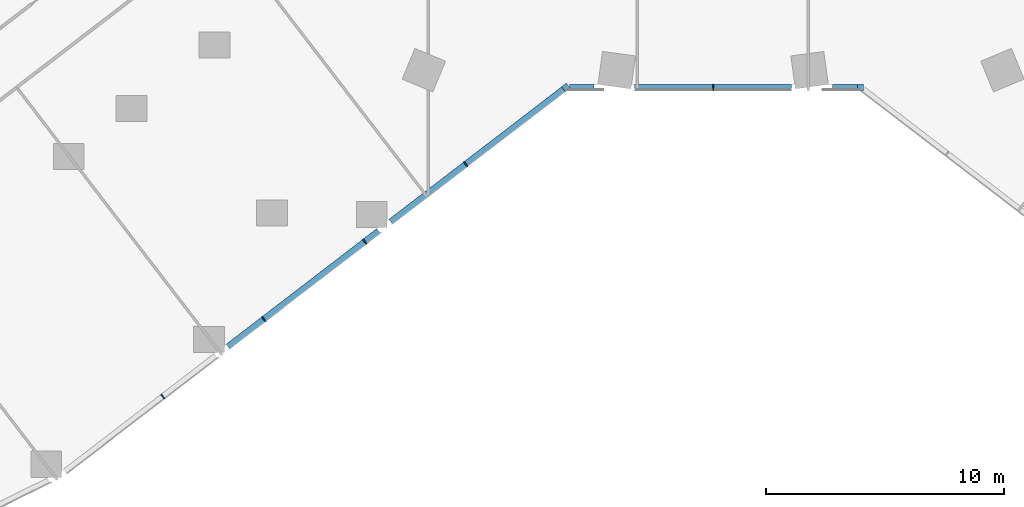
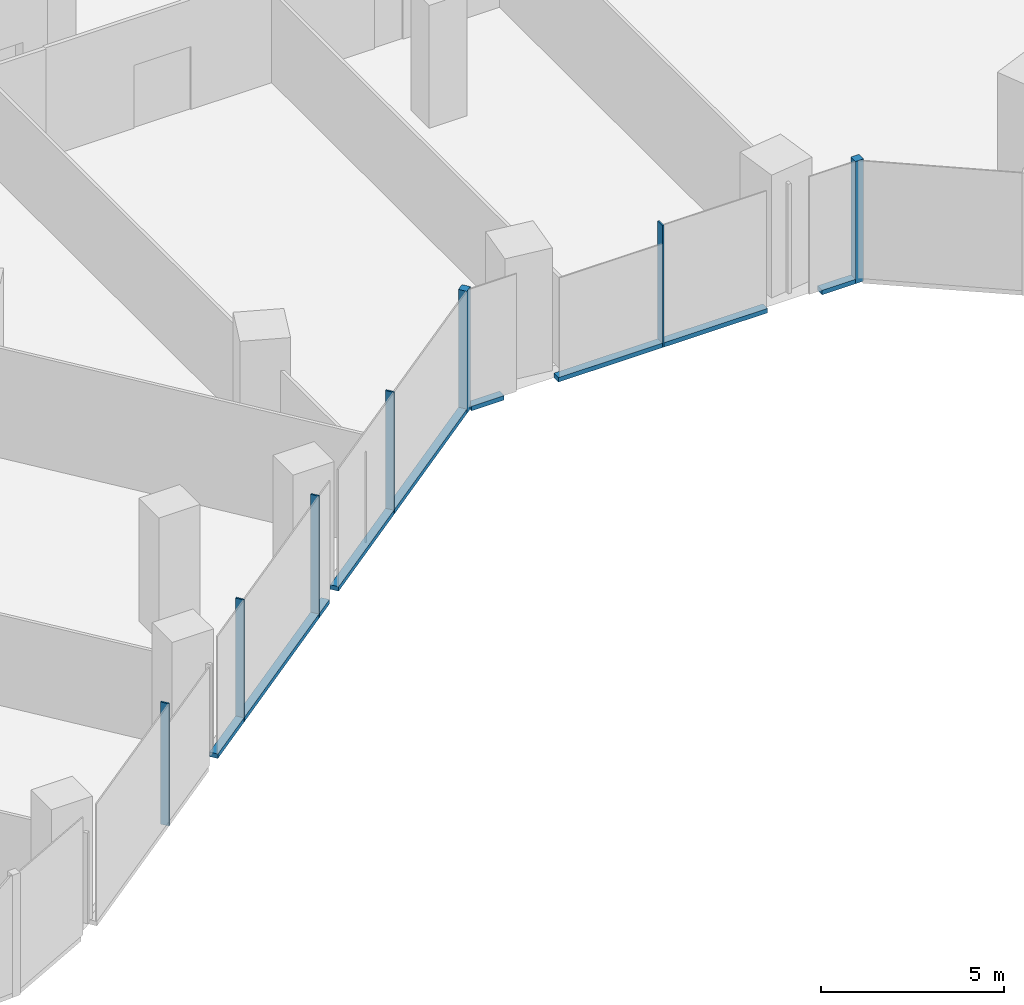
# One storey, part 4 of 29: 12 members, 2 elements without a shape of their own.
"""IFC4 building model written with IfcOpenShell, lengths in metres."""

from ifc_helpers import new_model, si_unit, direction, frame, origin, origin_2d, place, context, subcontext, project, spatial, rectangle, extrude, material, material_profile, profile_set, type_object, element, aggregate, save


model = new_model("IFC4")

# Units and contexts
model_context = context("Model", 3, precision=1e-05, world=origin(), true_north=direction((0.0, 1.0)))
body_context = subcontext(model_context, "Body", "Model", "MODEL_VIEW")
ifc_project = project(units=[si_unit("LENGTHUNIT", "METRE"), si_unit("AREAUNIT", "SQUARE_METRE"), si_unit("VOLUMEUNIT", "CUBIC_METRE"), si_unit("PLANEANGLEUNIT", "RADIAN"), si_unit("MASSUNIT", "GRAM", prefix="KILO")], contexts=[model_context])

# Site, building, storey
site_placement = place(None, origin())
site = spatial("IfcSite", under=ifc_project, at=site_placement, CompositionType="ELEMENT")
building_placement = place(site_placement, origin())
building = spatial("IfcBuilding", under=site, at=building_placement, Name="Orlundy Tower", CompositionType="ELEMENT")
storey_placement = place(building_placement, frame((0.0, 0.0, 29.199951171875)))
storey = spatial("IfcBuildingStorey", under=building, at=storey_placement, Name="L05", CompositionType="ELEMENT", Elevation=29.199951171875)

# Curtain wall, member
ifc_material_1 = material(Name="Aluminium bronze anodised", Category="aluminium")
curtain_wall_type = type_object("IfcCurtainWallType", Name="CW2 wall", PredefinedType="NOTDEFINED", material=ifc_material_1)
curtain_wall_1_placement = place(storey_placement, origin())
curtain_wall_1 = element("IfcCurtainWall", 1, at=curtain_wall_1_placement, inside=storey, type_object=curtain_wall_type, Name="CW2 run 01", PredefinedType="NOTDEFINED")
ifc_material_2 = material(Name="Aluminium bronze anodised", Category="aluminium")
ifc_material_profile_1 = material_profile(ifc_material_2, rectangle(XDim=0.25, YDim=0.25, at=origin_2d()), Name="CW2 corner post 250x250")
ifc_profile_set_1 = profile_set([ifc_material_profile_1], Name="Aluminium bronze anodised")
member_type_1 = type_object("IfcMemberType", Name="CW2 corner post 250x250", PredefinedType="MULLION", material=ifc_profile_set_1)
member_1_placement = place(storey_placement, frame((6.20068359375, -30.125, -0.39990234375), z_axis=(0.0, 0.0, 1.0), x_axis=(0.0, -1.0, 0.0)))
member_1 = element("IfcMember", 2, at=member_1_placement, type_object=member_type_1, Name="CW2 mullion 7", PredefinedType="MULLION", context=body_context, shape_type="SweptSolid", body=[
    extrude(rectangle(XDim=0.25, YDim=0.25, at=origin_2d()), origin(), (0.0, 0.0, 1.0), 4.079833984375),
])

curtain_wall_2_placement = place(storey_placement, origin())
curtain_wall_2 = element("IfcCurtainWall", 3, at=curtain_wall_2_placement, inside=storey, type_object=curtain_wall_type, Name="CW2 run 02", PredefinedType="NOTDEFINED")
member_2_placement = place(storey_placement, frame((-6.20068359375, -30.125, -0.39990234375), z_axis=(0.0, 0.0, 1.0), x_axis=(0.608763046543, -0.793352099111, 0.0)))
member_2 = element("IfcMember", 4, at=member_2_placement, type_object=member_type_1, Name="CW2 mullion 9", PredefinedType="MULLION", context=body_context, shape_type="SweptSolid", body=[
    extrude(rectangle(XDim=0.25, YDim=0.25, at=origin_2d()), origin(), (0.0, 0.0, 1.0), 4.079833984375),
])

# Member
ifc_material_3 = material(Name="Aluminium bronze anodised", Category="aluminium")
ifc_material_profile_2 = material_profile(ifc_material_3, rectangle(XDim=0.25, YDim=0.050048828125, at=origin_2d()), Name="CW2 mullion 50x250")
ifc_profile_set_2 = profile_set([ifc_material_profile_2], Name="Aluminium bronze anodised")
member_type_2 = type_object("IfcMemberType", Name="CW2 mullion 50x250", PredefinedType="MULLION", material=ifc_profile_set_2)
member_3_placement = place(storey_placement, frame((0.0, -30.125, -0.39990234375), z_axis=(0.0, 0.0, 1.0), x_axis=(0.0, -1.0, 0.0)))
member_3 = element("IfcMember", 5, at=member_3_placement, type_object=member_type_2, Name="CW2 mullion 8", PredefinedType="MULLION", context=body_context, shape_type="SweptSolid", body=[
    extrude(rectangle(XDim=0.25, YDim=0.050048828125, at=origin_2d()), origin(), (0.0, 0.0, 1.0), 4.079833984375),
])

member_4_placement = place(storey_placement, frame((-10.416748046875, -33.360107421875, -0.39990234375), z_axis=(0.0, 0.0, 1.0), x_axis=(0.608763046543, -0.793352099111, 0.0)))
member_4 = element("IfcMember", 6, at=member_4_placement, type_object=member_type_2, Name="CW2 mullion 10", PredefinedType="MULLION", context=body_context, shape_type="SweptSolid", body=[
    extrude(rectangle(XDim=0.25, YDim=0.050048828125, at=origin_2d()), origin(), (0.0, 0.0, 1.0), 4.079833984375),
])

member_5_placement = place(storey_placement, frame((-14.66650390625, -36.62109375, -0.39990234375), z_axis=(0.0, 0.0, 1.0), x_axis=(0.608763046543, -0.793352099111, 0.0)))
member_5 = element("IfcMember", 7, at=member_5_placement, type_object=member_type_2, Name="CW2 mullion 11", PredefinedType="MULLION", context=body_context, shape_type="SweptSolid", body=[
    extrude(rectangle(XDim=0.25, YDim=0.050048828125, at=origin_2d()), origin(), (0.0, 0.0, 1.0), 4.079833984375),
])

member_6_placement = place(storey_placement, frame((-18.916259765625, -39.882080078125, -0.39990234375), z_axis=(0.0, 0.0, 1.0), x_axis=(0.608763046543, -0.793352099111, 0.0)))
member_6 = element("IfcMember", 8, at=member_6_placement, type_object=member_type_2, Name="CW2 mullion 12", PredefinedType="MULLION", context=body_context, shape_type="SweptSolid", body=[
    extrude(rectangle(XDim=0.25, YDim=0.050048828125, at=origin_2d()), origin(), (0.0, 0.0, 1.0), 4.079833984375),
])

member_7_placement = place(storey_placement, frame((-23.166015625, -43.14306640625, -0.39990234375), z_axis=(0.0, 0.0, 1.0), x_axis=(0.608763046543, -0.793352099111, 0.0)))
member_7 = element("IfcMember", 9, at=member_7_placement, type_object=member_type_2, Name="CW2 mullion 13", PredefinedType="MULLION", context=body_context, shape_type="SweptSolid", body=[
    extrude(rectangle(XDim=0.25, YDim=0.050048828125, at=origin_2d()), origin(), (0.0, 0.0, 1.0), 4.079833984375),
])

ifc_material_4 = material(Name="Aluminium bronze anodised", Category="aluminium")
ifc_material_profile_3 = material_profile(ifc_material_4, rectangle(XDim=0.25, YDim=0.14990234375, at=origin_2d()), Name="CW2 transom 250x150")
ifc_profile_set_3 = profile_set([ifc_material_profile_3], Name="Aluminium bronze anodised")
member_type_3 = type_object("IfcMemberType", Name="CW2 transom 250x150", PredefinedType="USERDEFINED", material=ifc_profile_set_3)
member_8_placement = place(storey_placement, frame((6.07568359375, -30.125, -0.324951171875), z_axis=(-1.0, 0.0, 0.0), x_axis=(0.0, -1.0, 0.0)))
member_8 = element("IfcMember", 10, at=member_8_placement, type_object=member_type_3, Name="CW2 transom", ObjectType="TRANSOM", PredefinedType="USERDEFINED", context=body_context, shape_type="SweptSolid", body=[
    extrude(rectangle(XDim=0.25, YDim=0.14990234375, at=origin_2d()), origin(), (0.0, 0.0, 1.0), 1.05859375),
])

member_9_placement = place(storey_placement, frame((3.301025390625, -30.125, -0.324951171875), z_axis=(-1.0, 0.0, 0.0), x_axis=(0.0, -1.0, 0.0)))
member_9 = element("IfcMember", 11, at=member_9_placement, type_object=member_type_3, Name="CW2 transom", ObjectType="TRANSOM", PredefinedType="USERDEFINED", context=body_context, shape_type="SweptSolid", body=[
    extrude(rectangle(XDim=0.25, YDim=0.14990234375, at=origin_2d()), origin(), (0.0, 0.0, 1.0), 6.60205078125),
])

member_10_placement = place(storey_placement, frame((-5.01708984375, -30.125, -0.324951171875), z_axis=(-1.0, 0.0, 0.0), x_axis=(0.0, -1.0, 0.0)))
member_10 = element("IfcMember", 12, at=member_10_placement, type_object=member_type_3, Name="CW2 transom", ObjectType="TRANSOM", PredefinedType="USERDEFINED", context=body_context, shape_type="SweptSolid", body=[
    extrude(rectangle(XDim=0.25, YDim=0.14990234375, at=origin_2d()), origin(), (0.0, 0.0, 1.0), 1.02587890625),
])

aggregate(curtain_wall_1, [member_1, member_3, member_8, member_9, member_10])

member_11_placement = place(storey_placement, frame((-6.2998046875, -30.201171875, -0.324951171875), z_axis=(-0.793357195735, -0.608756404463, 0.0), x_axis=(0.608756404463, -0.793357195735, 0.0)))
member_11 = element("IfcMember", 13, at=member_11_placement, type_object=member_type_3, Name="CW2 transom", ObjectType="TRANSOM", PredefinedType="USERDEFINED", context=body_context, shape_type="SweptSolid", body=[
    extrude(rectangle(XDim=0.25, YDim=0.14990234375, at=origin_2d()), origin(), (0.0, 0.0, 1.0), 9.1650390625),
])

member_12_placement = place(storey_placement, frame((-14.091552734375, -36.179931640625, -0.324951171875), z_axis=(-0.793351608678, -0.608763685684, 0.0), x_axis=(0.608763685684, -0.793351608678, 0.0)))
member_12 = element("IfcMember", 14, at=member_12_placement, type_object=member_type_3, Name="CW2 transom", ObjectType="TRANSOM", PredefinedType="USERDEFINED", context=body_context, shape_type="SweptSolid", body=[
    extrude(rectangle(XDim=0.25, YDim=0.14990234375, at=origin_2d()), origin(), (0.0, 0.0, 1.0), 7.976806640625),
])

aggregate(curtain_wall_2, [member_2, member_4, member_5, member_6, member_7, member_11, member_12])

save(model, "model.ifc")
